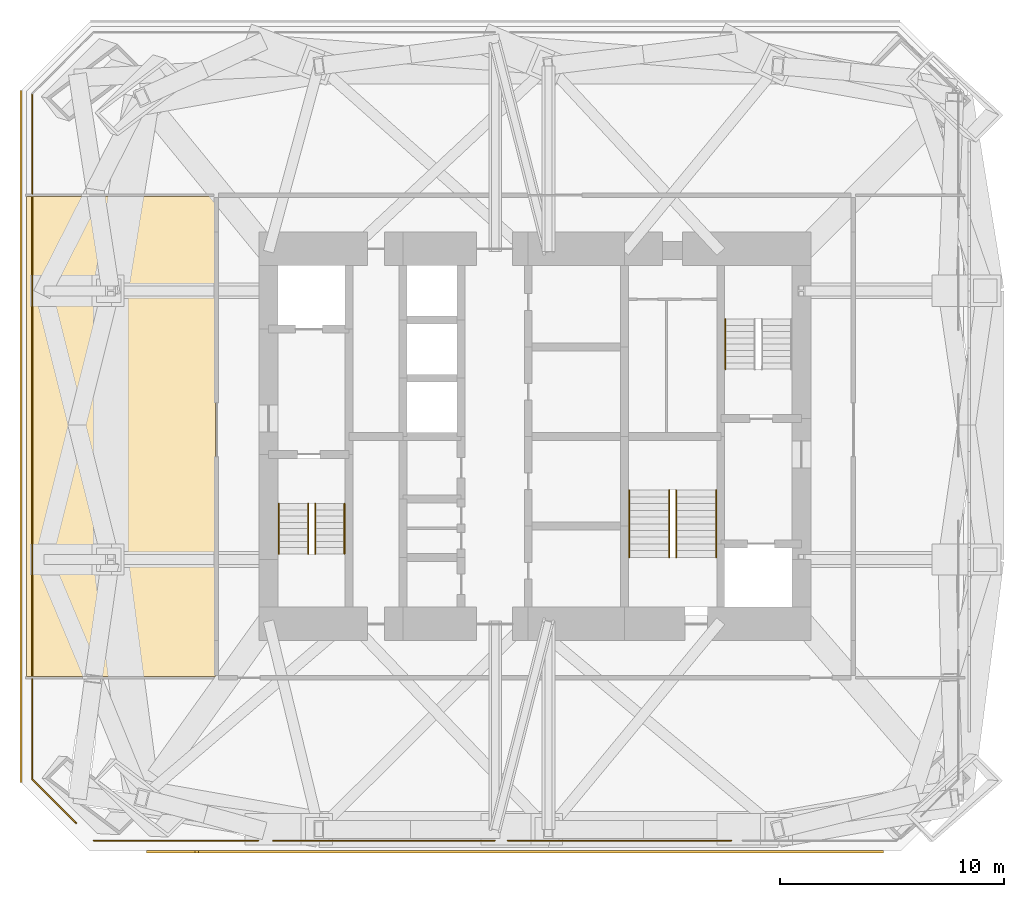
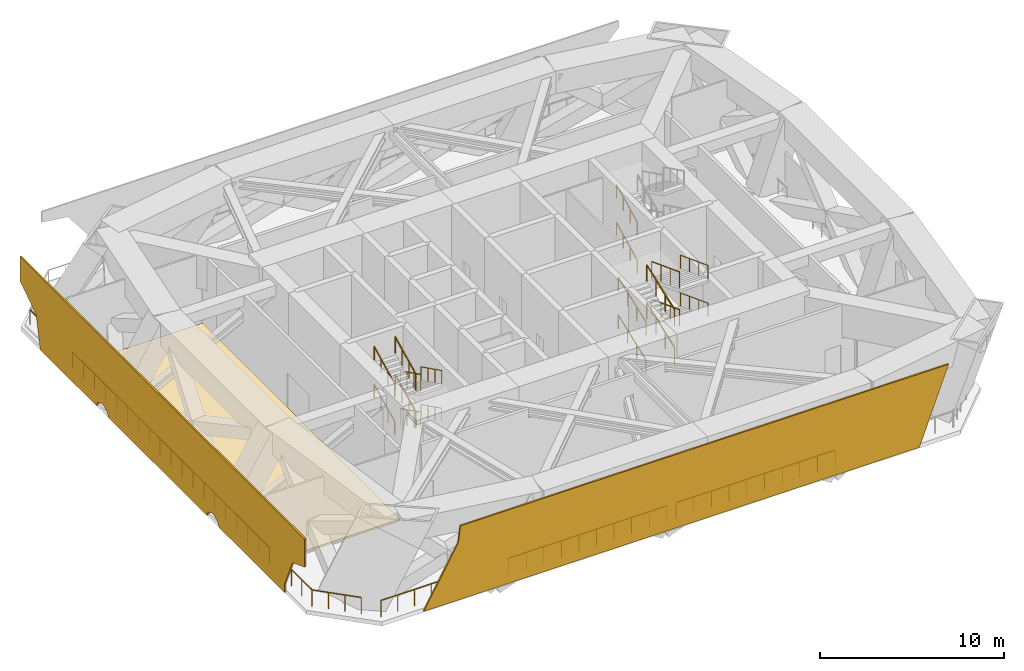
# One storey, part 7 of 8: 25 railings, 2 shading devices, 1 covering.
"""IFC4 building model written with IfcOpenShell, lengths in metres."""

from ifc_helpers import new_model, si_unit, direction, frame, origin, origin_2d, place, context, subcontext, project, spatial, polyline, rectangle, circle, outline, extrude, material, layer, layer_set, constituent, constituent_set, type_object, element, save


model = new_model("IFC4")

# Units and contexts
model_context = context("Model", 3, precision=1e-05, world=origin(), true_north=direction((0.0, 1.0)))
body_context = subcontext(model_context, "Body", "Model", "MODEL_VIEW")
ifc_project = project(units=[si_unit("LENGTHUNIT", "METRE"), si_unit("AREAUNIT", "SQUARE_METRE"), si_unit("VOLUMEUNIT", "CUBIC_METRE"), si_unit("PLANEANGLEUNIT", "RADIAN"), si_unit("MASSUNIT", "GRAM", prefix="KILO")], contexts=[model_context])

# Site, building, storey
site_placement = place(None, origin())
site = spatial("IfcSite", under=ifc_project, at=site_placement, CompositionType="ELEMENT")
building_placement = place(site_placement, origin())
building = spatial("IfcBuilding", under=site, at=building_placement, Name="Jalousie Tower", CompositionType="ELEMENT")
storey_placement = place(building_placement, frame((0.0, 0.0, 149.35009765625)))
storey = spatial("IfcBuildingStorey", under=building, at=storey_placement, Name="L40", CompositionType="ELEMENT", Elevation=149.35009765625)

# Covering
ifc_material_1 = material(Name="Sand-cement screed on resilient layer", Category="concrete")
ifc_layer_1 = layer(ifc_material_1, 0.1201171875)
ifc_layer_set_1 = layer_set([ifc_layer_1], Name="Sand-cement screed on resilient layer")
covering_type = type_object("IfcCoveringType", Name="FLOATING PLANT SCREED 120", PredefinedType="FLOORING", material=ifc_layer_set_1)
covering_placement = place(storey_placement, origin())
element("IfcCovering", 1, at=covering_placement, inside=storey, type_object=covering_type, Name="Floating screed Air handling plant room", PredefinedType="FLOORING", context=body_context, shape_type="SweptSolid", body=[
    extrude(outline(polyline([(17.625, 7.77490234375), (9.199951171875, 7.77490234375), (9.199951171875, 29.22509765625), (17.625, 29.22509765625), (17.625, 7.77490234375)])), origin(), (0.0, 0.0, 1.0), 0.119873046875),
])

# Railings
ifc_material_2 = material(Name="Stainless steel AISI 316", Category="steel")
railing_type_1 = type_object("IfcRailingType", Name="PLANT GUARDRAIL 1100", PredefinedType="GUARDRAIL", material=ifc_material_2)
railing_1_placement = place(storey_placement, frame((11.407470703125, 1.22900390625, 0.0)))
element("IfcRailing", 2, at=railing_1_placement, inside=storey, type_object=railing_type_1, Name="Plant floor guard L40 1", PredefinedType="GUARDRAIL", context=body_context, shape_type="SweptSolid", body=[
    extrude(rectangle(XDim=0.048095703125, YDim=0.048095703125, at=origin_2d()), frame((0.0, 0.0, 1.076171875), z_axis=(-0.707150877521, 0.707062682102, 0.0), x_axis=(-0.707062682102, -0.707150877521, 0.0)), (0.0, 0.0, 1.0), 2.76806640625),
    extrude(circle(Radius=0.02099609375, at=origin_2d()), origin(), (0.0, 0.0, 1.0), 1.052001953125),
    extrude(circle(Radius=0.02099609375, at=origin_2d()), frame((-0.652587890625, 0.65234375, 0.0)), (0.0, 0.0, 1.0), 1.052001953125),
    extrude(circle(Radius=0.02099609375, at=origin_2d()), frame((-1.304931640625, 1.304931640625, 0.0)), (0.0, 0.0, 1.0), 1.052001953125),
    extrude(circle(Radius=0.02099609375, at=origin_2d()), frame((-1.95751953125, 1.957275390625, 0.0)), (0.0, 0.0, 1.0), 1.052001953125),
])
railing_2_placement = place(storey_placement, frame((9.449951171875, 3.186279296875, 0.0)))
element("IfcRailing", 3, at=railing_2_placement, inside=storey, type_object=railing_type_1, Name="Plant floor guard L40 2", PredefinedType="GUARDRAIL", context=body_context, shape_type="SweptSolid", body=[
    extrude(rectangle(XDim=0.048095703125, YDim=0.048095703125, at=origin_2d()), frame((0.0, 0.0, 1.076171875), z_axis=(0.0, 1.0, 0.0), x_axis=(-1.0, 0.0, 0.0)), (0.0, 0.0, 1.0), 4.46875),
    extrude(circle(Radius=0.02099609375, at=origin_2d()), origin(), (0.0, 0.0, 1.0), 1.052001953125),
    extrude(circle(Radius=0.02099609375, at=origin_2d()), frame((0.0, 1.1171875, 0.0)), (0.0, 0.0, 1.0), 1.052001953125),
    extrude(circle(Radius=0.02099609375, at=origin_2d()), frame((0.0, 2.234375, 0.0)), (0.0, 0.0, 1.0), 1.052001953125),
    extrude(circle(Radius=0.02099609375, at=origin_2d()), frame((0.0, 3.3515625, 0.0)), (0.0, 0.0, 1.0), 1.052001953125),
    extrude(circle(Radius=0.02099609375, at=origin_2d()), frame((0.0, 4.46875, 0.0)), (0.0, 0.0, 1.0), 1.052001953125),
])
railing_3_placement = place(storey_placement, frame((9.449951171875, 7.794921875, 0.0)))
element("IfcRailing", 4, at=railing_3_placement, inside=storey, type_object=railing_type_1, Name="Plant floor guard L40 3", PredefinedType="GUARDRAIL", context=body_context, shape_type="SweptSolid", body=[
    extrude(rectangle(XDim=0.048095703125, YDim=0.048095703125, at=origin_2d()), frame((0.0, 0.0, 1.076171875), z_axis=(0.0, 1.0, 0.0), x_axis=(-1.0, 0.0, 0.0)), (0.0, 0.0, 1.0), 21.41015625),
    extrude(circle(Radius=0.02099609375, at=origin_2d()), origin(), (0.0, 0.0, 1.0), 1.052001953125),
    extrude(circle(Radius=0.02099609375, at=origin_2d()), frame((0.0, 1.189453125, 0.0)), (0.0, 0.0, 1.0), 1.052001953125),
    extrude(circle(Radius=0.02099609375, at=origin_2d()), frame((0.0, 2.37890625, 0.0)), (0.0, 0.0, 1.0), 1.052001953125),
    extrude(circle(Radius=0.02099609375, at=origin_2d()), frame((0.0, 3.568359375, 0.0)), (0.0, 0.0, 1.0), 1.052001953125),
    extrude(circle(Radius=0.02099609375, at=origin_2d()), frame((0.0, 4.7578125, 0.0)), (0.0, 0.0, 1.0), 1.052001953125),
    extrude(circle(Radius=0.02099609375, at=origin_2d()), frame((0.0, 5.947265625, 0.0)), (0.0, 0.0, 1.0), 1.052001953125),
    extrude(circle(Radius=0.02099609375, at=origin_2d()), frame((0.0, 7.13671875, 0.0)), (0.0, 0.0, 1.0), 1.052001953125),
    extrude(circle(Radius=0.02099609375, at=origin_2d()), frame((0.0, 8.326171875, 0.0)), (0.0, 0.0, 1.0), 1.052001953125),
    extrude(circle(Radius=0.02099609375, at=origin_2d()), frame((0.0, 9.515625, 0.0)), (0.0, 0.0, 1.0), 1.052001953125),
    extrude(circle(Radius=0.02099609375, at=origin_2d()), frame((0.0, 10.705078125, 0.0)), (0.0, 0.0, 1.0), 1.052001953125),
    extrude(circle(Radius=0.02099609375, at=origin_2d()), frame((0.0, 11.89453125, 0.0)), (0.0, 0.0, 1.0), 1.052001953125),
    extrude(circle(Radius=0.02099609375, at=origin_2d()), frame((0.0, 13.083984375, 0.0)), (0.0, 0.0, 1.0), 1.052001953125),
    extrude(circle(Radius=0.02099609375, at=origin_2d()), frame((0.0, 14.2734375, 0.0)), (0.0, 0.0, 1.0), 1.052001953125),
    extrude(circle(Radius=0.02099609375, at=origin_2d()), frame((0.0, 15.462890625, 0.0)), (0.0, 0.0, 1.0), 1.052001953125),
    extrude(circle(Radius=0.02099609375, at=origin_2d()), frame((0.0, 16.65234375, 0.0)), (0.0, 0.0, 1.0), 1.052001953125),
    extrude(circle(Radius=0.02099609375, at=origin_2d()), frame((0.0, 17.841796875, 0.0)), (0.0, 0.0, 1.0), 1.052001953125),
    extrude(circle(Radius=0.02099609375, at=origin_2d()), frame((0.0, 19.03125, 0.0)), (0.0, 0.0, 1.0), 1.052001953125),
    extrude(circle(Radius=0.02099609375, at=origin_2d()), frame((0.0, 20.220703125, 0.0)), (0.0, 0.0, 1.0), 1.052001953125),
    extrude(circle(Radius=0.02099609375, at=origin_2d()), frame((0.0, 21.41015625, 0.0)), (0.0, 0.0, 1.0), 1.052001953125),
])
railing_4_placement = place(storey_placement, frame((9.449951171875, 29.344970703125, 0.0)))
element("IfcRailing", 5, at=railing_4_placement, inside=storey, type_object=railing_type_1, Name="Plant floor guard L40 4", PredefinedType="GUARDRAIL", context=body_context, shape_type="SweptSolid", body=[
    extrude(rectangle(XDim=0.048095703125, YDim=0.048095703125, at=origin_2d()), frame((0.0, 0.0, 1.076171875), z_axis=(0.0, 1.0, 0.0), x_axis=(-1.0, 0.0, 0.0)), (0.0, 0.0, 1.0), 4.46875),
    extrude(circle(Radius=0.02099609375, at=origin_2d()), origin(), (0.0, 0.0, 1.0), 1.052001953125),
    extrude(circle(Radius=0.02099609375, at=origin_2d()), frame((0.0, 1.1171875, 0.0)), (0.0, 0.0, 1.0), 1.052001953125),
    extrude(circle(Radius=0.02099609375, at=origin_2d()), frame((0.0, 2.234375, 0.0)), (0.0, 0.0, 1.0), 1.052001953125),
    extrude(circle(Radius=0.02099609375, at=origin_2d()), frame((0.0, 3.3515625, 0.0)), (0.0, 0.0, 1.0), 1.052001953125),
    extrude(circle(Radius=0.02099609375, at=origin_2d()), frame((0.0, 4.46875, 0.0)), (0.0, 0.0, 1.0), 1.052001953125),
])
railing_5_placement = place(storey_placement, frame((19.54248046875, 0.449951171875, 0.0)))
element("IfcRailing", 6, at=railing_5_placement, inside=storey, type_object=railing_type_1, Name="Plant floor guard L40 23", PredefinedType="GUARDRAIL", context=body_context, shape_type="SweptSolid", body=[
    extrude(rectangle(XDim=0.048095703125, YDim=0.048095703125, at=origin_2d()), frame((0.0, 0.0, 1.076171875), z_axis=(-1.0, 0.0, 0.0), x_axis=(0.0, -1.0, 0.0)), (0.0, 0.0, 1.0), 7.356201171875),
    extrude(circle(Radius=0.02099609375, at=origin_2d()), origin(), (0.0, 0.0, 1.0), 1.052001953125),
    extrude(circle(Radius=0.02099609375, at=origin_2d()), frame((-1.05078125, 0.0, 0.0)), (0.0, 0.0, 1.0), 1.052001953125),
    extrude(circle(Radius=0.02099609375, at=origin_2d()), frame((-2.101806640625, 0.0, 0.0)), (0.0, 0.0, 1.0), 1.052001953125),
    extrude(circle(Radius=0.02099609375, at=origin_2d()), frame((-3.152587890625, 0.0, 0.0)), (0.0, 0.0, 1.0), 1.052001953125),
    extrude(circle(Radius=0.02099609375, at=origin_2d()), frame((-4.20361328125, 0.0, 0.0)), (0.0, 0.0, 1.0), 1.052001953125),
    extrude(circle(Radius=0.02099609375, at=origin_2d()), frame((-5.25439453125, 0.0, 0.0)), (0.0, 0.0, 1.0), 1.052001953125),
    extrude(circle(Radius=0.02099609375, at=origin_2d()), frame((-6.305419921875, 0.0, 0.0)), (0.0, 0.0, 1.0), 1.052001953125),
    extrude(circle(Radius=0.02099609375, at=origin_2d()), frame((-7.356201171875, 0.0, 0.0)), (0.0, 0.0, 1.0), 1.052001953125),
])
railing_6_placement = place(storey_placement, frame((30.10498046875, 0.449951171875, 0.0)))
element("IfcRailing", 7, at=railing_6_placement, inside=storey, type_object=railing_type_1, Name="Plant floor guard L40 24", PredefinedType="GUARDRAIL", context=body_context, shape_type="SweptSolid", body=[
    extrude(rectangle(XDim=0.048095703125, YDim=0.048095703125, at=origin_2d()), frame((0.0, 0.0, 1.076171875), z_axis=(-1.0, 0.0, 0.0), x_axis=(0.0, -1.0, 0.0)), (0.0, 0.0, 1.0), 9.904296875),
    extrude(circle(Radius=0.02099609375, at=origin_2d()), origin(), (0.0, 0.0, 1.0), 1.052001953125),
    extrude(circle(Radius=0.02099609375, at=origin_2d()), frame((-1.1005859375, 0.0, 0.0)), (0.0, 0.0, 1.0), 1.052001953125),
    extrude(circle(Radius=0.02099609375, at=origin_2d()), frame((-2.200927734375, 0.0, 0.0)), (0.0, 0.0, 1.0), 1.052001953125),
    extrude(circle(Radius=0.02099609375, at=origin_2d()), frame((-3.301513671875, 0.0, 0.0)), (0.0, 0.0, 1.0), 1.052001953125),
    extrude(circle(Radius=0.02099609375, at=origin_2d()), frame((-4.40185546875, 0.0, 0.0)), (0.0, 0.0, 1.0), 1.052001953125),
    extrude(circle(Radius=0.02099609375, at=origin_2d()), frame((-5.50244140625, 0.0, 0.0)), (0.0, 0.0, 1.0), 1.052001953125),
    extrude(circle(Radius=0.02099609375, at=origin_2d()), frame((-6.602783203125, 0.0, 0.0)), (0.0, 0.0, 1.0), 1.052001953125),
    extrude(circle(Radius=0.02099609375, at=origin_2d()), frame((-7.703369140625, 0.0, 0.0)), (0.0, 0.0, 1.0), 1.052001953125),
    extrude(circle(Radius=0.02099609375, at=origin_2d()), frame((-8.8037109375, 0.0, 0.0)), (0.0, 0.0, 1.0), 1.052001953125),
    extrude(circle(Radius=0.02099609375, at=origin_2d()), frame((-9.904296875, 0.0, 0.0)), (0.0, 0.0, 1.0), 1.052001953125),
])
railing_7_placement = place(storey_placement, frame((40.66748046875, 0.449951171875, 0.0)))
element("IfcRailing", 8, at=railing_7_placement, inside=storey, type_object=railing_type_1, Name="Plant floor guard L40 25", PredefinedType="GUARDRAIL", context=body_context, shape_type="SweptSolid", body=[
    extrude(rectangle(XDim=0.048095703125, YDim=0.048095703125, at=origin_2d()), frame((0.0, 0.0, 1.076171875), z_axis=(-1.0, 0.0, 0.0), x_axis=(0.0, -1.0, 0.0)), (0.0, 0.0, 1.0), 9.97607421875),
    extrude(circle(Radius=0.02099609375, at=origin_2d()), origin(), (0.0, 0.0, 1.0), 1.052001953125),
    extrude(circle(Radius=0.02099609375, at=origin_2d()), frame((-1.1083984375, 0.0, 0.0)), (0.0, 0.0, 1.0), 1.052001953125),
    extrude(circle(Radius=0.02099609375, at=origin_2d()), frame((-2.216796875, 0.0, 0.0)), (0.0, 0.0, 1.0), 1.052001953125),
    extrude(circle(Radius=0.02099609375, at=origin_2d()), frame((-3.325439453125, 0.0, 0.0)), (0.0, 0.0, 1.0), 1.052001953125),
    extrude(circle(Radius=0.02099609375, at=origin_2d()), frame((-4.433837890625, 0.0, 0.0)), (0.0, 0.0, 1.0), 1.052001953125),
    extrude(circle(Radius=0.02099609375, at=origin_2d()), frame((-5.542236328125, 0.0, 0.0)), (0.0, 0.0, 1.0), 1.052001953125),
    extrude(circle(Radius=0.02099609375, at=origin_2d()), frame((-6.650634765625, 0.0, 0.0)), (0.0, 0.0, 1.0), 1.052001953125),
    extrude(circle(Radius=0.02099609375, at=origin_2d()), frame((-7.75927734375, 0.0, 0.0)), (0.0, 0.0, 1.0), 1.052001953125),
    extrude(circle(Radius=0.02099609375, at=origin_2d()), frame((-8.86767578125, 0.0, 0.0)), (0.0, 0.0, 1.0), 1.052001953125),
    extrude(circle(Radius=0.02099609375, at=origin_2d()), frame((-9.97607421875, 0.0, 0.0)), (0.0, 0.0, 1.0), 1.052001953125),
])

# Shading devices
ifc_material_3 = material(Name="Aluminium storm louvres", Category="aluminium")
ifc_layer_2 = layer(ifc_material_3, 0.10009765625)
ifc_layer_set_2 = layer_set([ifc_layer_2], Name="Aluminium storm louvres")
shading_device_type = type_object("IfcShadingDeviceType", Name="PLANT LOUVRE SCREEN", PredefinedType="JALOUSIE", material=ifc_layer_set_2)
shading_device_1_placement = place(storey_placement, frame((47.468017578125, -0.10009765625, 4.719970703125), z_axis=(0.0, -1.0, 0.0), x_axis=(-1.0, 0.0, 0.0)))
element("IfcShadingDevice", 9, at=shading_device_1_placement, inside=storey, type_object=shading_device_type, Name="Plant louvre screen L40 1", PredefinedType="JALOUSIE", context=body_context, shape_type="SweptSolid", body=[
    extrude(outline(polyline([(0.0, 0.0), (30.606201171875, 0.0), (30.743408203125, 1.07861328125), (32.9111328125, 4.8701171875), (1.84228515625, 4.8701171875), (0.0, 0.0)])), origin(), (0.0, 0.0, -1.0), 0.10009765625),
])
shading_device_2_placement = place(storey_placement, frame((8.89990234375, 33.949951171875, 4.719970703125), z_axis=(-1.0, 0.0, 0.0), x_axis=(0.0, 0.0, -1.0)))
element("IfcShadingDevice", 10, at=shading_device_2_placement, inside=storey, type_object=shading_device_type, Name="Plant louvre screen L40 4", PredefinedType="JALOUSIE", context=body_context, shape_type="SweptSolid", body=[
    extrude(outline(polyline([(0.0, 0.0), (1.66796875, 0.0), (2.76513671875, 1.7392578125), (4.8701171875, 2.200439453125), (4.8701171875, 8.293212890625), (4.564697265625, 8.419677734375), (4.344970703125, 8.949951171875), (4.564697265625, 9.480224609375), (4.8701171875, 9.606689453125), (4.8701171875, 20.293212890625), (4.564697265625, 20.419677734375), (4.344970703125, 20.949951171875), (4.564697265625, 21.480224609375), (4.8701171875, 21.606689453125), (4.8701171875, 28.7177734375), (4.267578125, 28.73486328125), (2.355712890625, 29.5908203125), (1.8564453125, 30.89990234375), (0.0, 30.89990234375), (0.0, 0.0)])), origin(), (0.0, 0.0, -1.0), 0.10009765625),
])

# Railings
ifc_material_4 = material(Name="Steel ASTM A500 Grade C", Category="steel")
ifc_constituent_1 = constituent(ifc_material_4, Name="Body")
ifc_material_5 = material(Name="Hot-dip galvanised zinc coating")
ifc_constituent_2 = constituent(ifc_material_5, Name="Finish")
ifc_constituent_set_1 = constituent_set(constituents=[ifc_constituent_1, ifc_constituent_2])
railing_type_2 = type_object("IfcRailingType", Name="STAIR GUARD 1100", PredefinedType="GUARDRAIL", material=ifc_constituent_set_1)
railing_8_placement = place(storey_placement, frame((22.080078125, 15.49755859375, 0.138916015625)))
element("IfcRailing", 11, at=railing_8_placement, inside=storey, type_object=railing_type_2, Name="Exit stair A guard L40 flight 1", PredefinedType="GUARDRAIL", context=body_context, shape_type="SweptSolid", body=[
    extrude(rectangle(XDim=0.048095703125, YDim=0.048095703125, at=origin_2d()), frame((0.0, 0.0, 1.076171875), z_axis=(0.0, -0.895848192791, 0.444360231651), x_axis=(1.0, 0.0, 0.0)), (0.0, 0.0, 1.0), 2.50048828125),
    extrude(circle(Radius=0.02099609375, at=origin_2d()), origin(), (0.0, 0.0, 1.0), 1.052001953125),
    extrude(circle(Radius=0.02099609375, at=origin_2d()), frame((0.0, -0.74658203125, 0.370361328125)), (0.0, 0.0, 1.0), 1.052001953125),
    extrude(circle(Radius=0.02099609375, at=origin_2d()), frame((0.0, -1.493408203125, 0.74072265625)), (0.0, 0.0, 1.0), 1.052001953125),
    extrude(circle(Radius=0.02099609375, at=origin_2d()), frame((0.0, -2.239990234375, 1.111083984375)), (0.0, 0.0, 1.0), 1.052001953125),
])
railing_9_placement = place(storey_placement, frame((21.77001953125, 13.257568359375, 1.388916015625)))
element("IfcRailing", 12, at=railing_9_placement, inside=storey, type_object=railing_type_2, Name="Exit stair A guard L40 flight 2", PredefinedType="GUARDRAIL", context=body_context, shape_type="SweptSolid", body=[
    extrude(rectangle(XDim=0.048095703125, YDim=0.048095703125, at=origin_2d()), frame((0.0, 0.0, 1.076171875), z_axis=(0.0, 0.895848192791, 0.444360231651), x_axis=(-1.0, 0.0, 0.0)), (0.0, 0.0, 1.0), 2.50048828125),
    extrude(circle(Radius=0.02099609375, at=origin_2d()), origin(), (0.0, 0.0, 1.0), 1.052001953125),
    extrude(circle(Radius=0.02099609375, at=origin_2d()), frame((0.0, 0.74658203125, 0.370361328125)), (0.0, 0.0, 1.0), 1.052001953125),
    extrude(circle(Radius=0.02099609375, at=origin_2d()), frame((0.0, 1.493408203125, 0.74072265625)), (0.0, 0.0, 1.0), 1.052001953125),
    extrude(circle(Radius=0.02099609375, at=origin_2d()), frame((0.0, 2.239990234375, 1.111083984375)), (0.0, 0.0, 1.0), 1.052001953125),
])
railing_10_placement = place(storey_placement, frame((22.080078125, 15.49755859375, 2.638916015625)))
element("IfcRailing", 13, at=railing_10_placement, inside=storey, type_object=railing_type_2, Name="Exit stair A guard L40 flight 3", PredefinedType="GUARDRAIL", context=body_context, shape_type="SweptSolid", body=[
    extrude(rectangle(XDim=0.048095703125, YDim=0.048095703125, at=origin_2d()), frame((0.0, 0.0, 1.076171875), z_axis=(0.0, -0.895848192791, 0.444360231651), x_axis=(1.0, 0.0, 0.0)), (0.0, 0.0, 1.0), 2.50048828125),
    extrude(circle(Radius=0.02099609375, at=origin_2d()), origin(), (0.0, 0.0, 1.0), 1.052001953125),
    extrude(circle(Radius=0.02099609375, at=origin_2d()), frame((0.0, -0.74658203125, 0.370361328125)), (0.0, 0.0, 1.0), 1.052001953125),
    extrude(circle(Radius=0.02099609375, at=origin_2d()), frame((0.0, -1.493408203125, 0.74072265625)), (0.0, 0.0, 1.0), 1.052001953125),
    extrude(circle(Radius=0.02099609375, at=origin_2d()), frame((0.0, -2.239990234375, 1.111083984375)), (0.0, 0.0, 1.0), 1.052001953125),
])
railing_11_placement = place(storey_placement, frame((21.77001953125, 13.257568359375, 3.888916015625)))
element("IfcRailing", 14, at=railing_11_placement, inside=storey, type_object=railing_type_2, Name="Exit stair A guard L40 flight 4", PredefinedType="GUARDRAIL", context=body_context, shape_type="SweptSolid", body=[
    extrude(rectangle(XDim=0.048095703125, YDim=0.048095703125, at=origin_2d()), frame((0.0, 0.0, 1.076171875), z_axis=(0.0, 0.895848192791, 0.444360231651), x_axis=(-1.0, 0.0, 0.0)), (0.0, 0.0, 1.0), 2.50048828125),
    extrude(circle(Radius=0.02099609375, at=origin_2d()), origin(), (0.0, 0.0, 1.0), 1.052001953125),
    extrude(circle(Radius=0.02099609375, at=origin_2d()), frame((0.0, 0.74658203125, 0.370361328125)), (0.0, 0.0, 1.0), 1.052001953125),
    extrude(circle(Radius=0.02099609375, at=origin_2d()), frame((0.0, 1.493408203125, 0.74072265625)), (0.0, 0.0, 1.0), 1.052001953125),
    extrude(circle(Radius=0.02099609375, at=origin_2d()), frame((0.0, 2.239990234375, 1.111083984375)), (0.0, 0.0, 1.0), 1.052001953125),
])
railing_12_placement = place(storey_placement, frame((37.89501953125, 13.097412109375, 0.113525390625)))
element("IfcRailing", 15, at=railing_12_placement, inside=storey, type_object=railing_type_2, Name="Exit stair C guard L40 flight 1", PredefinedType="GUARDRAIL", context=body_context, shape_type="SweptSolid", body=[
    extrude(rectangle(XDim=0.048095703125, YDim=0.048095703125, at=origin_2d()), frame((0.0, 0.0, 1.076171875), z_axis=(0.0, 0.935147985876, 0.354257313985), x_axis=(-1.0, 0.0, 0.0)), (0.0, 0.0, 1.0), 3.2080078125),
    extrude(circle(Radius=0.02099609375, at=origin_2d()), origin(), (0.0, 0.0, 1.0), 1.052001953125),
    extrude(circle(Radius=0.02099609375, at=origin_2d()), frame((0.0, 1.0, 0.37890625)), (0.0, 0.0, 1.0), 1.052001953125),
    extrude(circle(Radius=0.02099609375, at=origin_2d()), frame((0.0, 2.0, 0.757568359375)), (0.0, 0.0, 1.0), 1.052001953125),
    extrude(circle(Radius=0.02099609375, at=origin_2d()), frame((0.0, 3.0, 1.136474609375)), (0.0, 0.0, 1.0), 1.052001953125),
])
railing_13_placement = place(storey_placement, frame((38.205078125, 16.097412109375, 1.363525390625)))
element("IfcRailing", 16, at=railing_13_placement, inside=storey, type_object=railing_type_2, Name="Exit stair C guard L40 flight 2", PredefinedType="GUARDRAIL", context=body_context, shape_type="SweptSolid", body=[
    extrude(rectangle(XDim=0.048095703125, YDim=0.048095703125, at=origin_2d()), frame((0.0, 0.0, 1.076171875), z_axis=(0.0, -0.935147985876, 0.354257313985), x_axis=(1.0, 0.0, 0.0)), (0.0, 0.0, 1.0), 3.2080078125),
    extrude(circle(Radius=0.02099609375, at=origin_2d()), origin(), (0.0, 0.0, 1.0), 1.052001953125),
    extrude(circle(Radius=0.02099609375, at=origin_2d()), frame((0.0, -1.0, 0.37890625)), (0.0, 0.0, 1.0), 1.052001953125),
    extrude(circle(Radius=0.02099609375, at=origin_2d()), frame((0.0, -2.0, 0.757568359375)), (0.0, 0.0, 1.0), 1.052001953125),
    extrude(circle(Radius=0.02099609375, at=origin_2d()), frame((0.0, -3.0, 1.136474609375)), (0.0, 0.0, 1.0), 1.052001953125),
])
railing_14_placement = place(storey_placement, frame((37.89501953125, 13.097412109375, 2.613525390625)))
element("IfcRailing", 17, at=railing_14_placement, inside=storey, type_object=railing_type_2, Name="Exit stair C guard L40 flight 3", PredefinedType="GUARDRAIL", context=body_context, shape_type="SweptSolid", body=[
    extrude(rectangle(XDim=0.048095703125, YDim=0.048095703125, at=origin_2d()), frame((0.0, 0.0, 1.076171875), z_axis=(0.0, 0.935147985876, 0.354257313985), x_axis=(-1.0, 0.0, 0.0)), (0.0, 0.0, 1.0), 3.2080078125),
    extrude(circle(Radius=0.02099609375, at=origin_2d()), origin(), (0.0, 0.0, 1.0), 1.052001953125),
    extrude(circle(Radius=0.02099609375, at=origin_2d()), frame((0.0, 1.0, 0.37890625)), (0.0, 0.0, 1.0), 1.052001953125),
    extrude(circle(Radius=0.02099609375, at=origin_2d()), frame((0.0, 2.0, 0.757568359375)), (0.0, 0.0, 1.0), 1.052001953125),
    extrude(circle(Radius=0.02099609375, at=origin_2d()), frame((0.0, 3.0, 1.136474609375)), (0.0, 0.0, 1.0), 1.052001953125),
])
railing_15_placement = place(storey_placement, frame((38.205078125, 16.097412109375, 3.863525390625)))
element("IfcRailing", 18, at=railing_15_placement, inside=storey, type_object=railing_type_2, Name="Exit stair C guard L40 flight 4", PredefinedType="GUARDRAIL", context=body_context, shape_type="SweptSolid", body=[
    extrude(rectangle(XDim=0.048095703125, YDim=0.048095703125, at=origin_2d()), frame((0.0, 0.0, 1.076171875), z_axis=(0.0, -0.935147985876, 0.354257313985), x_axis=(1.0, 0.0, 0.0)), (0.0, 0.0, 1.0), 3.2080078125),
    extrude(circle(Radius=0.02099609375, at=origin_2d()), origin(), (0.0, 0.0, 1.0), 1.052001953125),
    extrude(circle(Radius=0.02099609375, at=origin_2d()), frame((0.0, -1.0, 0.37890625)), (0.0, 0.0, 1.0), 1.052001953125),
    extrude(circle(Radius=0.02099609375, at=origin_2d()), frame((0.0, -2.0, 0.757568359375)), (0.0, 0.0, 1.0), 1.052001953125),
    extrude(circle(Radius=0.02099609375, at=origin_2d()), frame((0.0, -3.0, 1.136474609375)), (0.0, 0.0, 1.0), 1.052001953125),
])
ifc_material_6 = material(Name="Steel ASTM A500 Grade C", Category="steel")
ifc_constituent_3 = constituent(ifc_material_6, Name="Body")
ifc_material_7 = material(Name="Hot-dip galvanised zinc coating")
ifc_constituent_4 = constituent(ifc_material_7, Name="Finish")
ifc_constituent_set_2 = constituent_set(constituents=[ifc_constituent_3, ifc_constituent_4])
railing_type_3 = type_object("IfcRailingType", Name="STAIR HANDRAIL 900", PredefinedType="HANDRAIL", material=ifc_constituent_set_2)
railing_16_placement = place(storey_placement, frame((23.39501953125, 15.49755859375, 0.138916015625)))
element("IfcRailing", 19, at=railing_16_placement, inside=storey, type_object=railing_type_3, Name="Exit stair A handrail L40 flight 1", PredefinedType="HANDRAIL", context=body_context, shape_type="SweptSolid", body=[
    extrude(circle(Radius=0.02392578125, at=origin_2d()), frame((0.0, 0.0, 0.8759765625), z_axis=(0.0, -0.895848192791, 0.444360231651), x_axis=(1.0, 0.0, 0.0)), (0.0, 0.0, 1.0), 2.50048828125),
    extrude(circle(Radius=0.02099609375, at=origin_2d()), origin(), (0.0, 0.0, 1.0), 0.851806640625),
    extrude(circle(Radius=0.02099609375, at=origin_2d()), frame((0.0, -0.74658203125, 0.370361328125)), (0.0, 0.0, 1.0), 0.851806640625),
    extrude(circle(Radius=0.02099609375, at=origin_2d()), frame((0.0, -1.493408203125, 0.74072265625)), (0.0, 0.0, 1.0), 0.851806640625),
    extrude(circle(Radius=0.02099609375, at=origin_2d()), frame((0.0, -2.239990234375, 1.111083984375)), (0.0, 0.0, 1.0), 0.851806640625),
])
railing_17_placement = place(storey_placement, frame((20.455078125, 13.257568359375, 1.388916015625)))
element("IfcRailing", 20, at=railing_17_placement, inside=storey, type_object=railing_type_3, Name="Exit stair A handrail L40 flight 2", PredefinedType="HANDRAIL", context=body_context, shape_type="SweptSolid", body=[
    extrude(circle(Radius=0.02392578125, at=origin_2d()), frame((0.0, 0.0, 0.8759765625), z_axis=(0.0, 0.895848192791, 0.444360231651), x_axis=(-1.0, 0.0, 0.0)), (0.0, 0.0, 1.0), 2.50048828125),
    extrude(circle(Radius=0.02099609375, at=origin_2d()), origin(), (0.0, 0.0, 1.0), 0.851806640625),
    extrude(circle(Radius=0.02099609375, at=origin_2d()), frame((0.0, 0.74658203125, 0.370361328125)), (0.0, 0.0, 1.0), 0.851806640625),
    extrude(circle(Radius=0.02099609375, at=origin_2d()), frame((0.0, 1.493408203125, 0.74072265625)), (0.0, 0.0, 1.0), 0.851806640625),
    extrude(circle(Radius=0.02099609375, at=origin_2d()), frame((0.0, 2.239990234375, 1.111083984375)), (0.0, 0.0, 1.0), 0.851806640625),
])
railing_18_placement = place(storey_placement, frame((23.39501953125, 15.49755859375, 2.638916015625)))
element("IfcRailing", 21, at=railing_18_placement, inside=storey, type_object=railing_type_3, Name="Exit stair A handrail L40 flight 3", PredefinedType="HANDRAIL", context=body_context, shape_type="SweptSolid", body=[
    extrude(circle(Radius=0.02392578125, at=origin_2d()), frame((0.0, 0.0, 0.8759765625), z_axis=(0.0, -0.895848192791, 0.444360231651), x_axis=(1.0, 0.0, 0.0)), (0.0, 0.0, 1.0), 2.50048828125),
    extrude(circle(Radius=0.02099609375, at=origin_2d()), origin(), (0.0, 0.0, 1.0), 0.851806640625),
    extrude(circle(Radius=0.02099609375, at=origin_2d()), frame((0.0, -0.74658203125, 0.370361328125)), (0.0, 0.0, 1.0), 0.851806640625),
    extrude(circle(Radius=0.02099609375, at=origin_2d()), frame((0.0, -1.493408203125, 0.74072265625)), (0.0, 0.0, 1.0), 0.851806640625),
    extrude(circle(Radius=0.02099609375, at=origin_2d()), frame((0.0, -2.239990234375, 1.111083984375)), (0.0, 0.0, 1.0), 0.851806640625),
])
for number, where, name in (
    (22, (20.455078125, 13.257568359375, 3.888916015625), "Exit stair A handrail L40 flight 4"),
    (23, (40.405029296875, 21.50244140625, 0.138916015625), "Exit stair B handrail L40 flight 1"),
    (24, (40.405029296875, 21.50244140625, 2.638916015625), "Exit stair B handrail L40 flight 3"),
):
    element("IfcRailing", number, at=place(storey_placement, frame(where)), inside=storey, type_object=railing_type_3, Name=name, PredefinedType="HANDRAIL", context=body_context, shape_type="SweptSolid", body=[
        extrude(circle(Radius=0.02392578125, at=origin_2d()), frame((0.0, 0.0, 0.8759765625), z_axis=(0.0, 0.895848192791, 0.444360231651), x_axis=(-1.0, 0.0, 0.0)), (0.0, 0.0, 1.0), 2.50048828125),
        extrude(circle(Radius=0.02099609375, at=origin_2d()), origin(), (0.0, 0.0, 1.0), 0.851806640625),
        extrude(circle(Radius=0.02099609375, at=origin_2d()), frame((0.0, 0.74658203125, 0.370361328125)), (0.0, 0.0, 1.0), 0.851806640625),
        extrude(circle(Radius=0.02099609375, at=origin_2d()), frame((0.0, 1.493408203125, 0.74072265625)), (0.0, 0.0, 1.0), 0.851806640625),
        extrude(circle(Radius=0.02099609375, at=origin_2d()), frame((0.0, 2.239990234375, 1.111083984375)), (0.0, 0.0, 1.0), 0.851806640625),
    ])
railing_19_placement = place(storey_placement, frame((36.10498046875, 13.097412109375, 0.113525390625)))
element("IfcRailing", 25, at=railing_19_placement, inside=storey, type_object=railing_type_3, Name="Exit stair C handrail L40 flight 1", PredefinedType="HANDRAIL", context=body_context, shape_type="SweptSolid", body=[
    extrude(circle(Radius=0.02392578125, at=origin_2d()), frame((0.0, 0.0, 0.8759765625), z_axis=(0.0, 0.935147985876, 0.354257313985), x_axis=(-1.0, 0.0, 0.0)), (0.0, 0.0, 1.0), 3.2080078125),
    extrude(circle(Radius=0.02099609375, at=origin_2d()), origin(), (0.0, 0.0, 1.0), 0.851806640625),
    extrude(circle(Radius=0.02099609375, at=origin_2d()), frame((0.0, 1.0, 0.37890625)), (0.0, 0.0, 1.0), 0.851806640625),
    extrude(circle(Radius=0.02099609375, at=origin_2d()), frame((0.0, 2.0, 0.757568359375)), (0.0, 0.0, 1.0), 0.851806640625),
    extrude(circle(Radius=0.02099609375, at=origin_2d()), frame((0.0, 3.0, 1.136474609375)), (0.0, 0.0, 1.0), 0.851806640625),
])
railing_20_placement = place(storey_placement, frame((39.9951171875, 16.097412109375, 1.363525390625)))
element("IfcRailing", 26, at=railing_20_placement, inside=storey, type_object=railing_type_3, Name="Exit stair C handrail L40 flight 2", PredefinedType="HANDRAIL", context=body_context, shape_type="SweptSolid", body=[
    extrude(circle(Radius=0.02392578125, at=origin_2d()), frame((0.0, 0.0, 0.8759765625), z_axis=(0.0, -0.935147985876, 0.354257313985), x_axis=(1.0, 0.0, 0.0)), (0.0, 0.0, 1.0), 3.2080078125),
    extrude(circle(Radius=0.02099609375, at=origin_2d()), origin(), (0.0, 0.0, 1.0), 0.851806640625),
    extrude(circle(Radius=0.02099609375, at=origin_2d()), frame((0.0, -1.0, 0.37890625)), (0.0, 0.0, 1.0), 0.851806640625),
    extrude(circle(Radius=0.02099609375, at=origin_2d()), frame((0.0, -2.0, 0.757568359375)), (0.0, 0.0, 1.0), 0.851806640625),
    extrude(circle(Radius=0.02099609375, at=origin_2d()), frame((0.0, -3.0, 1.136474609375)), (0.0, 0.0, 1.0), 0.851806640625),
])
railing_21_placement = place(storey_placement, frame((36.10498046875, 13.097412109375, 2.613525390625)))
element("IfcRailing", 27, at=railing_21_placement, inside=storey, type_object=railing_type_3, Name="Exit stair C handrail L40 flight 3", PredefinedType="HANDRAIL", context=body_context, shape_type="SweptSolid", body=[
    extrude(circle(Radius=0.02392578125, at=origin_2d()), frame((0.0, 0.0, 0.8759765625), z_axis=(0.0, 0.935147985876, 0.354257313985), x_axis=(-1.0, 0.0, 0.0)), (0.0, 0.0, 1.0), 3.2080078125),
    extrude(circle(Radius=0.02099609375, at=origin_2d()), origin(), (0.0, 0.0, 1.0), 0.851806640625),
    extrude(circle(Radius=0.02099609375, at=origin_2d()), frame((0.0, 1.0, 0.37890625)), (0.0, 0.0, 1.0), 0.851806640625),
    extrude(circle(Radius=0.02099609375, at=origin_2d()), frame((0.0, 2.0, 0.757568359375)), (0.0, 0.0, 1.0), 0.851806640625),
    extrude(circle(Radius=0.02099609375, at=origin_2d()), frame((0.0, 3.0, 1.136474609375)), (0.0, 0.0, 1.0), 0.851806640625),
])
railing_22_placement = place(storey_placement, frame((39.9951171875, 16.097412109375, 3.863525390625)))
element("IfcRailing", 28, at=railing_22_placement, inside=storey, type_object=railing_type_3, Name="Exit stair C handrail L40 flight 4", PredefinedType="HANDRAIL", context=body_context, shape_type="SweptSolid", body=[
    extrude(circle(Radius=0.02392578125, at=origin_2d()), frame((0.0, 0.0, 0.8759765625), z_axis=(0.0, -0.935147985876, 0.354257313985), x_axis=(1.0, 0.0, 0.0)), (0.0, 0.0, 1.0), 3.2080078125),
    extrude(circle(Radius=0.02099609375, at=origin_2d()), origin(), (0.0, 0.0, 1.0), 0.851806640625),
    extrude(circle(Radius=0.02099609375, at=origin_2d()), frame((0.0, -1.0, 0.37890625)), (0.0, 0.0, 1.0), 0.851806640625),
    extrude(circle(Radius=0.02099609375, at=origin_2d()), frame((0.0, -2.0, 0.757568359375)), (0.0, 0.0, 1.0), 0.851806640625),
    extrude(circle(Radius=0.02099609375, at=origin_2d()), frame((0.0, -3.0, 1.136474609375)), (0.0, 0.0, 1.0), 0.851806640625),
])

save(model, "model.ifc")
